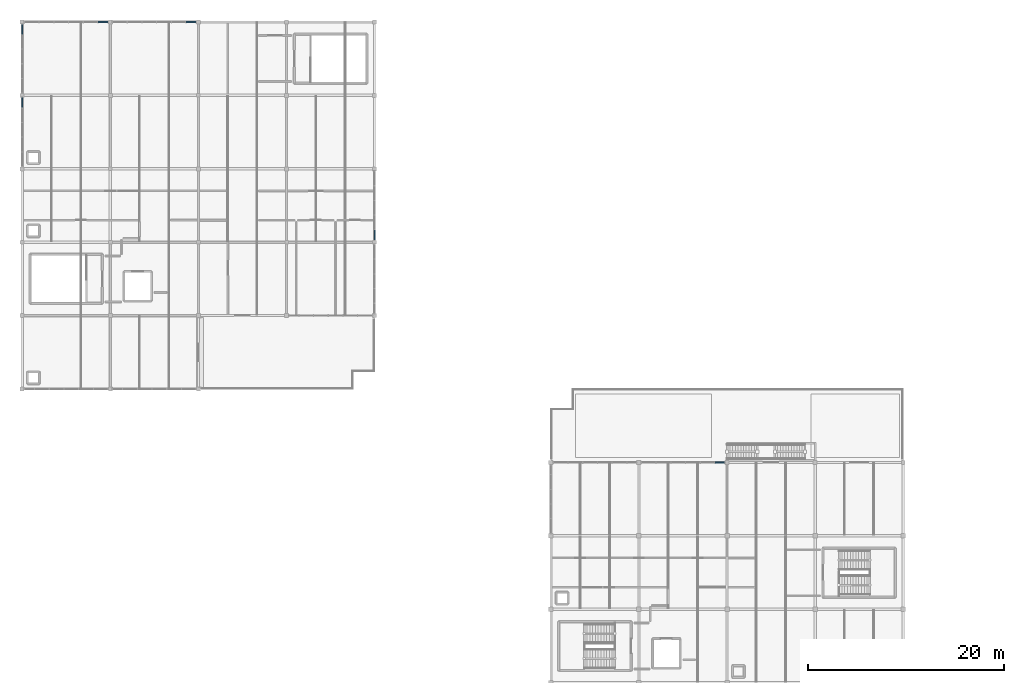
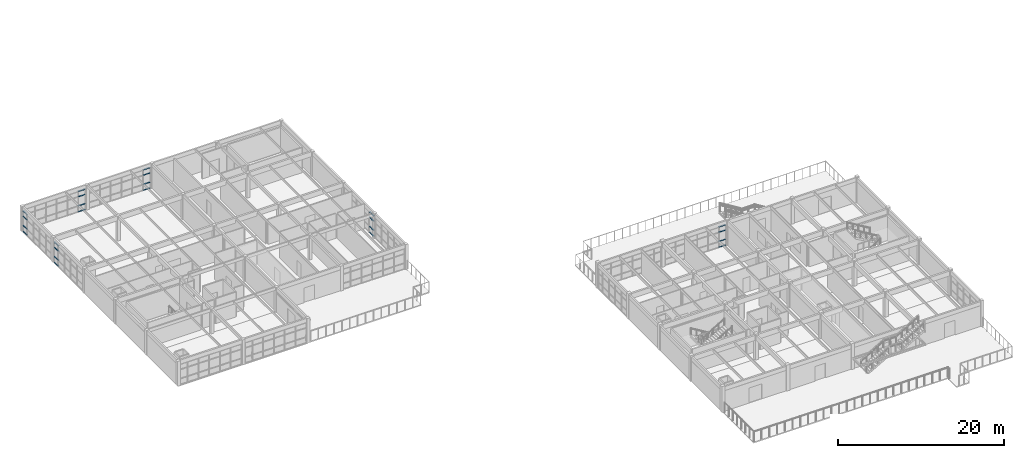
# One storey, part 22 of 45: 24 members, 6 elements without a shape of their own.
"""IFC4 building model written with IfcOpenShell, lengths in metres."""

from ifc_helpers import new_model, si_unit, direction, frame, origin, origin_2d, place, context, subcontext, project, spatial, rectangle, extrude, material, layer, layer_set, material_profile, profile_set, type_object, element, aggregate, save


model = new_model("IFC4")

# Units and contexts
model_context = context("Model", 3, precision=1e-05, world=origin(), true_north=direction((0.0, 1.0)))
body_context = subcontext(model_context, "Body", "Model", "MODEL_VIEW")
ifc_project = project(units=[si_unit("LENGTHUNIT", "METRE"), si_unit("AREAUNIT", "SQUARE_METRE"), si_unit("VOLUMEUNIT", "CUBIC_METRE"), si_unit("PLANEANGLEUNIT", "RADIAN"), si_unit("MASSUNIT", "GRAM", prefix="KILO")], contexts=[model_context])

# Site, building, storey
site_placement = place(None, origin())
site = spatial("IfcSite", under=ifc_project, at=site_placement, CompositionType="ELEMENT")
building_placement = place(site_placement, origin())
building = spatial("IfcBuilding", under=site, at=building_placement, Name="Marnridge Secondary College", CompositionType="ELEMENT")
storey_placement = place(building_placement, frame((0.0, 0.0, 12.300048828125)))
storey = spatial("IfcBuildingStorey", under=building, at=storey_placement, Name="L03", CompositionType="ELEMENT", Elevation=12.300048828125)

# Curtain wall, members
ifc_material_1 = material(Name="Thermally broken aluminium and low-E glazing", Category="aluminium")
ifc_layer = layer(ifc_material_1, 0.159912109375)
ifc_layer_set = layer_set([ifc_layer], Name="CW-MOD-1500")
curtain_wall_type = type_object("IfcCurtainWallType", Name="CW-MOD-1500", PredefinedType="NOTDEFINED", material=ifc_layer_set)
curtain_wall_1_placement = place(storey_placement, origin())
curtain_wall_1 = element("IfcCurtainWall", 1, at=curtain_wall_1_placement, inside=storey, type_object=curtain_wall_type, Name="Unitised curtain wall CW-L03-115", PredefinedType="NOTDEFINED")
ifc_material_2 = material(Name="Anodised aluminium 6063-T6", Category="aluminium")
ifc_material_profile = material_profile(ifc_material_2, rectangle(XDim=0.06005859375, YDim=0.1201171875, at=origin_2d()), Name="ALU 60x120")
ifc_profile_set = profile_set([ifc_material_profile], Name="Anodised aluminium 6063-T6")
member_type = type_object("IfcMemberType", Name="CWT-ALU120", PredefinedType="USERDEFINED", material=ifc_profile_set)
member_1_placement = place(storey_placement, frame((70.7890625, 75.0, 0.030029296875), z_axis=(1.0, 0.0, 0.0), x_axis=(0.0, 0.0, 1.0)))
member_1 = element("IfcMember", 2, at=member_1_placement, type_object=member_type, Name="CW-L03-115 transom 6.1", ObjectType="TRANSOM", PredefinedType="USERDEFINED", context=body_context, shape_type="SweptSolid", body=[
    extrude(rectangle(XDim=0.06005859375, YDim=0.1201171875, at=origin_2d()), origin(), (0.0, 0.0, 1.0), 0.947021484375),
])
member_2_placement = place(storey_placement, frame((70.7890625, 75.0, 0.89990234375), z_axis=(1.0, 0.0, 0.0), x_axis=(0.0, 0.0, 1.0)))
member_2 = element("IfcMember", 3, at=member_2_placement, type_object=member_type, Name="CW-L03-115 transom 6.2", ObjectType="TRANSOM", PredefinedType="USERDEFINED", context=body_context, shape_type="SweptSolid", body=[
    extrude(rectangle(XDim=0.06005859375, YDim=0.1201171875, at=origin_2d()), origin(), (0.0, 0.0, 1.0), 0.947021484375),
])
member_3_placement = place(storey_placement, frame((70.7890625, 75.0, 2.25), z_axis=(1.0, 0.0, 0.0), x_axis=(0.0, 0.0, 1.0)))
member_3 = element("IfcMember", 4, at=member_3_placement, type_object=member_type, Name="CW-L03-115 transom 6.3", ObjectType="TRANSOM", PredefinedType="USERDEFINED", context=body_context, shape_type="SweptSolid", body=[
    extrude(rectangle(XDim=0.06005859375, YDim=0.1201171875, at=origin_2d()), origin(), (0.0, 0.0, 1.0), 0.947021484375),
])
member_4_placement = place(storey_placement, frame((70.7890625, 75.0, 3.016845703125), z_axis=(1.0, 0.0, 0.0), x_axis=(0.0, 0.0, 1.0)))
member_4 = element("IfcMember", 5, at=member_4_placement, type_object=member_type, Name="CW-L03-115 transom 6.4", ObjectType="TRANSOM", PredefinedType="USERDEFINED", context=body_context, shape_type="SweptSolid", body=[
    extrude(rectangle(XDim=0.06005859375, YDim=0.1201171875, at=origin_2d()), origin(), (0.0, 0.0, 1.0), 0.947021484375),
])
aggregate(curtain_wall_1, [member_1, member_2, member_3, member_4])

curtain_wall_2_placement = place(storey_placement, origin())
curtain_wall_2 = element("IfcCurtainWall", 6, at=curtain_wall_2_placement, inside=storey, type_object=curtain_wall_type, Name="Unitised curtain wall CW-L03-118", PredefinedType="NOTDEFINED")
member_5_placement = place(storey_placement, frame((7.763916015625, 120.0, 0.030029296875), z_axis=(1.0, 0.0, 0.0), x_axis=(0.0, 0.0, 1.0)))
member_5 = element("IfcMember", 7, at=member_5_placement, type_object=member_type, Name="CW-L03-118 transom 6.1", ObjectType="TRANSOM", PredefinedType="USERDEFINED", context=body_context, shape_type="SweptSolid", body=[
    extrude(rectangle(XDim=0.06005859375, YDim=0.1201171875, at=origin_2d()), origin(), (0.0, 0.0, 1.0), 0.97216796875),
])
member_6_placement = place(storey_placement, frame((7.763916015625, 120.0, 0.89990234375), z_axis=(1.0, 0.0, 0.0), x_axis=(0.0, 0.0, 1.0)))
member_6 = element("IfcMember", 8, at=member_6_placement, type_object=member_type, Name="CW-L03-118 transom 6.2", ObjectType="TRANSOM", PredefinedType="USERDEFINED", context=body_context, shape_type="SweptSolid", body=[
    extrude(rectangle(XDim=0.06005859375, YDim=0.1201171875, at=origin_2d()), origin(), (0.0, 0.0, 1.0), 0.97216796875),
])
member_7_placement = place(storey_placement, frame((7.763916015625, 120.0, 2.25), z_axis=(1.0, 0.0, 0.0), x_axis=(0.0, 0.0, 1.0)))
member_7 = element("IfcMember", 9, at=member_7_placement, type_object=member_type, Name="CW-L03-118 transom 6.3", ObjectType="TRANSOM", PredefinedType="USERDEFINED", context=body_context, shape_type="SweptSolid", body=[
    extrude(rectangle(XDim=0.06005859375, YDim=0.1201171875, at=origin_2d()), origin(), (0.0, 0.0, 1.0), 0.97216796875),
])
member_8_placement = place(storey_placement, frame((7.763916015625, 120.0, 3.02685546875), z_axis=(1.0, 0.0, 0.0), x_axis=(0.0, 0.0, 1.0)))
member_8 = element("IfcMember", 10, at=member_8_placement, type_object=member_type, Name="CW-L03-118 transom 6.4", ObjectType="TRANSOM", PredefinedType="USERDEFINED", context=body_context, shape_type="SweptSolid", body=[
    extrude(rectangle(XDim=0.06005859375, YDim=0.1201171875, at=origin_2d()), origin(), (0.0, 0.0, 1.0), 0.97216796875),
])
aggregate(curtain_wall_2, [member_5, member_6, member_7, member_8])

curtain_wall_3_placement = place(storey_placement, origin())
curtain_wall_3 = element("IfcCurtainWall", 11, at=curtain_wall_3_placement, inside=storey, type_object=curtain_wall_type, Name="Unitised curtain wall CW-L03-119", PredefinedType="NOTDEFINED")
member_9_placement = place(storey_placement, frame((16.763916015625, 120.0, 0.030029296875), z_axis=(1.0, 0.0, 0.0), x_axis=(0.0, 0.0, 1.0)))
member_9 = element("IfcMember", 12, at=member_9_placement, type_object=member_type, Name="CW-L03-119 transom 6.1", ObjectType="TRANSOM", PredefinedType="USERDEFINED", context=body_context, shape_type="SweptSolid", body=[
    extrude(rectangle(XDim=0.06005859375, YDim=0.1201171875, at=origin_2d()), origin(), (0.0, 0.0, 1.0), 0.97216796875),
])
member_10_placement = place(storey_placement, frame((16.763916015625, 120.0, 0.89990234375), z_axis=(1.0, 0.0, 0.0), x_axis=(0.0, 0.0, 1.0)))
member_10 = element("IfcMember", 13, at=member_10_placement, type_object=member_type, Name="CW-L03-119 transom 6.2", ObjectType="TRANSOM", PredefinedType="USERDEFINED", context=body_context, shape_type="SweptSolid", body=[
    extrude(rectangle(XDim=0.06005859375, YDim=0.1201171875, at=origin_2d()), origin(), (0.0, 0.0, 1.0), 0.97216796875),
])
member_11_placement = place(storey_placement, frame((16.763916015625, 120.0, 2.25), z_axis=(1.0, 0.0, 0.0), x_axis=(0.0, 0.0, 1.0)))
member_11 = element("IfcMember", 14, at=member_11_placement, type_object=member_type, Name="CW-L03-119 transom 6.3", ObjectType="TRANSOM", PredefinedType="USERDEFINED", context=body_context, shape_type="SweptSolid", body=[
    extrude(rectangle(XDim=0.06005859375, YDim=0.1201171875, at=origin_2d()), origin(), (0.0, 0.0, 1.0), 0.97216796875),
])
member_12_placement = place(storey_placement, frame((16.763916015625, 120.0, 3.02685546875), z_axis=(1.0, 0.0, 0.0), x_axis=(0.0, 0.0, 1.0)))
member_12 = element("IfcMember", 15, at=member_12_placement, type_object=member_type, Name="CW-L03-119 transom 6.4", ObjectType="TRANSOM", PredefinedType="USERDEFINED", context=body_context, shape_type="SweptSolid", body=[
    extrude(rectangle(XDim=0.06005859375, YDim=0.1201171875, at=origin_2d()), origin(), (0.0, 0.0, 1.0), 0.97216796875),
])
aggregate(curtain_wall_3, [member_9, member_10, member_11, member_12])

curtain_wall_4_placement = place(storey_placement, origin())
curtain_wall_4 = element("IfcCurtainWall", 16, at=curtain_wall_4_placement, inside=storey, type_object=curtain_wall_type, Name="Unitised curtain wall CW-L03-120", PredefinedType="NOTDEFINED")
member_13_placement = place(storey_placement, frame((36.0, 98.736083984375, 0.030029296875), z_axis=(0.0, -1.0, 0.0), x_axis=(0.0, 0.0, 1.0)))
member_13 = element("IfcMember", 17, at=member_13_placement, type_object=member_type, Name="CW-L03-120 transom 5.1", ObjectType="TRANSOM", PredefinedType="USERDEFINED", context=body_context, shape_type="SweptSolid", body=[
    extrude(rectangle(XDim=0.06005859375, YDim=0.1201171875, at=origin_2d()), origin(), (0.0, 0.0, 1.0), 0.97216796875),
])
member_14_placement = place(storey_placement, frame((36.0, 98.736083984375, 0.89990234375), z_axis=(0.0, -1.0, 0.0), x_axis=(0.0, 0.0, 1.0)))
member_14 = element("IfcMember", 18, at=member_14_placement, type_object=member_type, Name="CW-L03-120 transom 5.2", ObjectType="TRANSOM", PredefinedType="USERDEFINED", context=body_context, shape_type="SweptSolid", body=[
    extrude(rectangle(XDim=0.06005859375, YDim=0.1201171875, at=origin_2d()), origin(), (0.0, 0.0, 1.0), 0.97216796875),
])
member_15_placement = place(storey_placement, frame((36.0, 98.736083984375, 2.25), z_axis=(0.0, -1.0, 0.0), x_axis=(0.0, 0.0, 1.0)))
member_15 = element("IfcMember", 19, at=member_15_placement, type_object=member_type, Name="CW-L03-120 transom 5.3", ObjectType="TRANSOM", PredefinedType="USERDEFINED", context=body_context, shape_type="SweptSolid", body=[
    extrude(rectangle(XDim=0.06005859375, YDim=0.1201171875, at=origin_2d()), origin(), (0.0, 0.0, 1.0), 0.97216796875),
])
member_16_placement = place(storey_placement, frame((36.0, 98.736083984375, 3.02685546875), z_axis=(0.0, -1.0, 0.0), x_axis=(0.0, 0.0, 1.0)))
member_16 = element("IfcMember", 20, at=member_16_placement, type_object=member_type, Name="CW-L03-120 transom 5.4", ObjectType="TRANSOM", PredefinedType="USERDEFINED", context=body_context, shape_type="SweptSolid", body=[
    extrude(rectangle(XDim=0.06005859375, YDim=0.1201171875, at=origin_2d()), origin(), (0.0, 0.0, 1.0), 0.97216796875),
])
aggregate(curtain_wall_4, [member_13, member_14, member_15, member_16])

curtain_wall_5_placement = place(storey_placement, origin())
curtain_wall_5 = element("IfcCurtainWall", 21, at=curtain_wall_5_placement, inside=storey, type_object=curtain_wall_type, Name="Unitised curtain wall CW-L03-125", PredefinedType="NOTDEFINED")
member_17_placement = place(storey_placement, frame((0.0, 111.263916015625, 0.030029296875), z_axis=(0.0, 1.0, 0.0), x_axis=(0.0, 0.0, 1.0)))
member_17 = element("IfcMember", 22, at=member_17_placement, type_object=member_type, Name="CW-L03-125 transom 5.1", ObjectType="TRANSOM", PredefinedType="USERDEFINED", context=body_context, shape_type="SweptSolid", body=[
    extrude(rectangle(XDim=0.06005859375, YDim=0.1201171875, at=origin_2d()), origin(), (0.0, 0.0, 1.0), 0.97216796875),
])
member_18_placement = place(storey_placement, frame((0.0, 111.263916015625, 0.89990234375), z_axis=(0.0, 1.0, 0.0), x_axis=(0.0, 0.0, 1.0)))
member_18 = element("IfcMember", 23, at=member_18_placement, type_object=member_type, Name="CW-L03-125 transom 5.2", ObjectType="TRANSOM", PredefinedType="USERDEFINED", context=body_context, shape_type="SweptSolid", body=[
    extrude(rectangle(XDim=0.06005859375, YDim=0.1201171875, at=origin_2d()), origin(), (0.0, 0.0, 1.0), 0.97216796875),
])
member_19_placement = place(storey_placement, frame((0.0, 111.263916015625, 2.25), z_axis=(0.0, 1.0, 0.0), x_axis=(0.0, 0.0, 1.0)))
member_19 = element("IfcMember", 24, at=member_19_placement, type_object=member_type, Name="CW-L03-125 transom 5.3", ObjectType="TRANSOM", PredefinedType="USERDEFINED", context=body_context, shape_type="SweptSolid", body=[
    extrude(rectangle(XDim=0.06005859375, YDim=0.1201171875, at=origin_2d()), origin(), (0.0, 0.0, 1.0), 0.97216796875),
])
member_20_placement = place(storey_placement, frame((0.0, 111.263916015625, 3.02685546875), z_axis=(0.0, 1.0, 0.0), x_axis=(0.0, 0.0, 1.0)))
member_20 = element("IfcMember", 25, at=member_20_placement, type_object=member_type, Name="CW-L03-125 transom 5.4", ObjectType="TRANSOM", PredefinedType="USERDEFINED", context=body_context, shape_type="SweptSolid", body=[
    extrude(rectangle(XDim=0.06005859375, YDim=0.1201171875, at=origin_2d()), origin(), (0.0, 0.0, 1.0), 0.97216796875),
])
aggregate(curtain_wall_5, [member_17, member_18, member_19, member_20])

curtain_wall_6_placement = place(storey_placement, origin())
curtain_wall_6 = element("IfcCurtainWall", 26, at=curtain_wall_6_placement, inside=storey, type_object=curtain_wall_type, Name="Unitised curtain wall CW-L03-126", PredefinedType="NOTDEFINED")
member_21_placement = place(storey_placement, frame((0.0, 118.763916015625, 0.030029296875), z_axis=(0.0, 1.0, 0.0), x_axis=(0.0, 0.0, 1.0)))
member_21 = element("IfcMember", 27, at=member_21_placement, type_object=member_type, Name="CW-L03-126 transom 5.1", ObjectType="TRANSOM", PredefinedType="USERDEFINED", context=body_context, shape_type="SweptSolid", body=[
    extrude(rectangle(XDim=0.06005859375, YDim=0.1201171875, at=origin_2d()), origin(), (0.0, 0.0, 1.0), 0.97216796875),
])
member_22_placement = place(storey_placement, frame((0.0, 118.763916015625, 0.89990234375), z_axis=(0.0, 1.0, 0.0), x_axis=(0.0, 0.0, 1.0)))
member_22 = element("IfcMember", 28, at=member_22_placement, type_object=member_type, Name="CW-L03-126 transom 5.2", ObjectType="TRANSOM", PredefinedType="USERDEFINED", context=body_context, shape_type="SweptSolid", body=[
    extrude(rectangle(XDim=0.06005859375, YDim=0.1201171875, at=origin_2d()), origin(), (0.0, 0.0, 1.0), 0.97216796875),
])
member_23_placement = place(storey_placement, frame((0.0, 118.763916015625, 2.25), z_axis=(0.0, 1.0, 0.0), x_axis=(0.0, 0.0, 1.0)))
member_23 = element("IfcMember", 29, at=member_23_placement, type_object=member_type, Name="CW-L03-126 transom 5.3", ObjectType="TRANSOM", PredefinedType="USERDEFINED", context=body_context, shape_type="SweptSolid", body=[
    extrude(rectangle(XDim=0.06005859375, YDim=0.1201171875, at=origin_2d()), origin(), (0.0, 0.0, 1.0), 0.97216796875),
])
member_24_placement = place(storey_placement, frame((0.0, 118.763916015625, 3.02685546875), z_axis=(0.0, 1.0, 0.0), x_axis=(0.0, 0.0, 1.0)))
member_24 = element("IfcMember", 30, at=member_24_placement, type_object=member_type, Name="CW-L03-126 transom 5.4", ObjectType="TRANSOM", PredefinedType="USERDEFINED", context=body_context, shape_type="SweptSolid", body=[
    extrude(rectangle(XDim=0.06005859375, YDim=0.1201171875, at=origin_2d()), origin(), (0.0, 0.0, 1.0), 0.97216796875),
])
aggregate(curtain_wall_6, [member_21, member_22, member_23, member_24])

save(model, "model.ifc")
